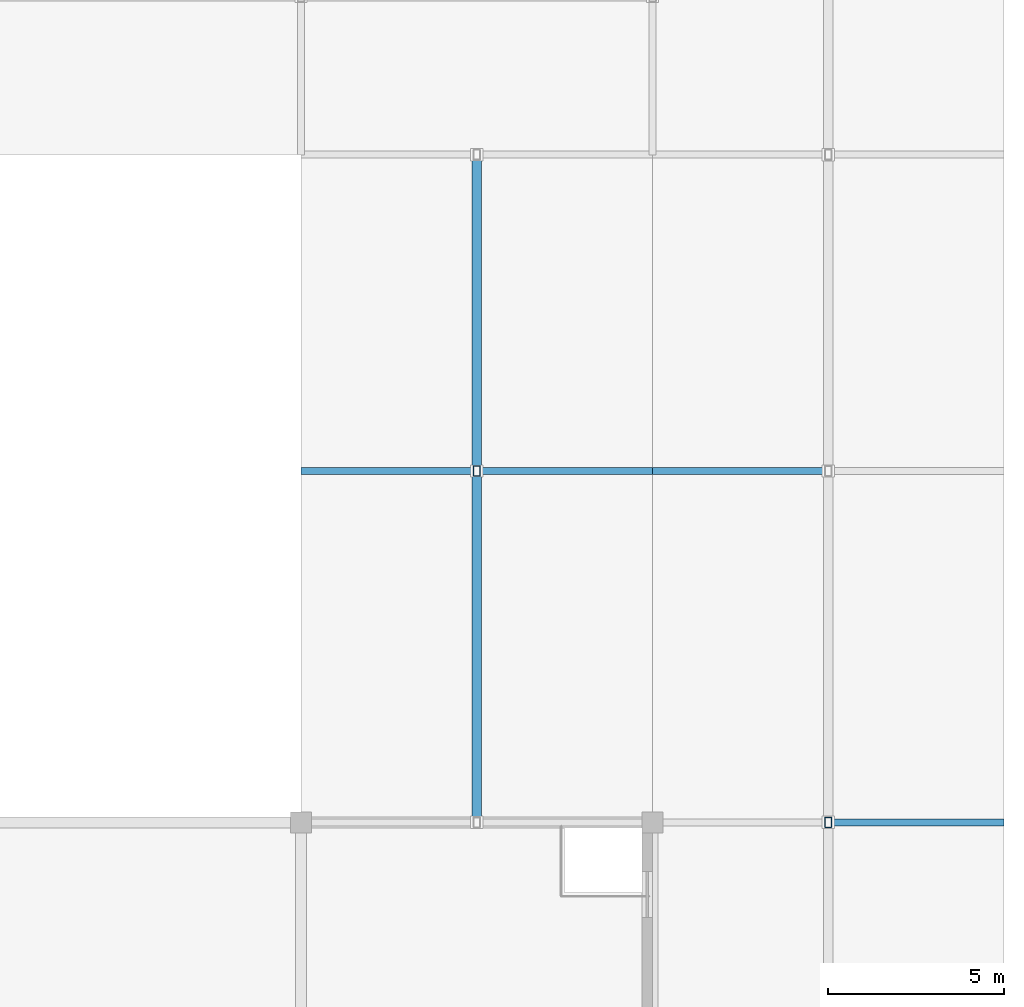
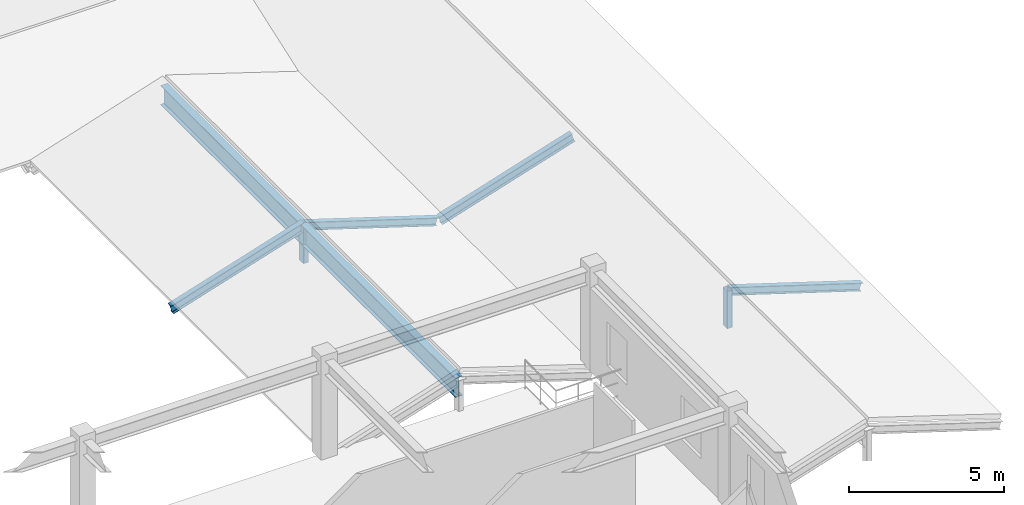
# One storey, part 76 of 110: 6 members, 1 beam.
"""IFC4 building model written with IfcOpenShell, lengths in metres."""

from ifc_helpers import new_model, si_unit, direction, frame, origin, origin_2d, place, context, subcontext, project, spatial, hollow_rectangle, i_section, extrude, material, material_profile, profile_set, type_object, element, save


model = new_model("IFC4")

# Units and contexts
model_context = context("Model", 3, precision=1e-05, world=origin(), true_north=direction((0.0, 1.0)))
body_context = subcontext(model_context, "Body", "Model", "MODEL_VIEW")
ifc_project = project(units=[si_unit("LENGTHUNIT", "METRE"), si_unit("AREAUNIT", "SQUARE_METRE"), si_unit("VOLUMEUNIT", "CUBIC_METRE"), si_unit("PLANEANGLEUNIT", "RADIAN"), si_unit("MASSUNIT", "GRAM", prefix="KILO")], contexts=[model_context])

# Site, building, storey
site_placement = place(None, origin())
site = spatial("IfcSite", under=ifc_project, at=site_placement, CompositionType="ELEMENT")
building_placement = place(site_placement, origin())
building = spatial("IfcBuilding", under=site, at=building_placement, Name="Miravela Opera House", CompositionType="ELEMENT")
storey_placement = place(building_placement, frame((0.0, 0.0, 13.60009765625)))
storey = spatial("IfcBuildingStorey", under=building, at=storey_placement, Name="L03", CompositionType="ELEMENT", Elevation=13.60009765625)

# Beam
ifc_material_1 = material(Name="Structural steel ASTM A992 Gr. 50", Category="steel")
ifc_material_profile_1 = material_profile(ifc_material_1, i_section(OverallWidth=0.26806640625, OverallDepth=0.77001953125, WebThickness=0.015625, FlangeThickness=0.025390625, FilletRadius=0.02001953125, at=origin_2d()), Name="W760X196")
ifc_profile_set_1 = profile_set([ifc_material_profile_1])
beam_type = type_object("IfcBeamType", Name="STR-BM-W760X196", PredefinedType="BEAM", material=ifc_profile_set_1)
beam_placement = place(storey_placement, frame((149.0, 84.0, 0.85498046875), z_axis=(0.0, 1.0, 0.0), x_axis=(-1.0, 0.0, 0.0)))
element("IfcBeam", 1, at=beam_placement, inside=storey, type_object=beam_type, Name="Clay Tile Roof Ridge Beam ROOF-V3-EAST-M", PredefinedType="BEAM", context=body_context, shape_type="SweptSolid", body=[
    extrude(i_section(OverallWidth=0.26806640625, OverallDepth=0.77001953125, WebThickness=0.015625, FlangeThickness=0.025390625, FilletRadius=0.02001953125, at=origin_2d()), origin(), (0.0, 0.0, 1.0), 19.0),
])

# Members
ifc_material_2 = material(Name="Hollow structural steel ASTM A500 Gr. C", Category="steel")
ifc_material_profile_2 = material_profile(ifc_material_2, hollow_rectangle(XDim=0.199951171875, YDim=0.300048828125, WallThickness=0.011962890625, InnerFilletRadius=0.011962890625, OuterFilletRadius=0.02392578125, at=origin_2d()), Name="HSS300X200X12")
ifc_profile_set_2 = profile_set([ifc_material_profile_2])
member_type_1 = type_object("IfcMemberType", Name="STR-MEM-POST-HSS300X200", PredefinedType="POST", material=ifc_profile_set_2)
for number, where, z_axis, x_axis, name in (
    (2, (159.0, 84.0, -0.25), (0.0, 0.0, 1.0), (1.0, 0.0, 0.0), "Roof Ridge Support Post ROOF-V3-FAR-E M1"),
    (3, (149.0, 94.0, -0.25), (0.0, 0.0, 1.0), (1.0, 0.0, 0.0), "Roof Ridge Support Post ROOF-V3-EAST-M M1"),
):
    element("IfcMember", number, at=place(storey_placement, frame(where, z_axis=z_axis, x_axis=x_axis)), inside=storey, type_object=member_type_1, Name=name, PredefinedType="POST", context=body_context, shape_type="SweptSolid", body=[
        extrude(hollow_rectangle(XDim=0.199951171875, YDim=0.300048828125, WallThickness=0.011962890625, InnerFilletRadius=0.011962890625, OuterFilletRadius=0.02392578125, at=origin_2d()), origin(), (0.0, 0.0, 1.0), 1.469970703125),
    ])
ifc_material_profile_3 = material_profile(ifc_material_1, i_section(OverallWidth=0.2041015625, OverallDepth=0.35009765625, WebThickness=0.008544921875, FlangeThickness=0.01513671875, FilletRadius=0.013916015625, at=origin_2d()), Name="W360X72")
ifc_profile_set_3 = profile_set([ifc_material_profile_3])
member_type_2 = type_object("IfcMemberType", Name="STR-MEM-RAFTER-1", PredefinedType="RAFTER", material=ifc_profile_set_3)
for number, where, z_axis, x_axis, name in (
    (4, (154.050048828125, 94.0, -0.400146484375), (0.953753138801, 0.0, 0.300591001575), (0.0, 1.0, 0.0), "Pitched Roof Rafter ROOF-V3-FAR-E W2"),
    (5, (144.050048828125, 94.0, -0.400146484375), (0.953753138801, 0.0, 0.300591001575), (0.0, 1.0, 0.0), "Pitched Roof Rafter ROOF-V3-EAST-M W1"),
):
    element("IfcMember", number, at=place(storey_placement, frame(where, z_axis=z_axis, x_axis=x_axis)), inside=storey, type_object=member_type_2, Name=name, PredefinedType="RAFTER", context=body_context, shape_type="SweptSolid", body=[
        extrude(i_section(OverallWidth=0.2041015625, OverallDepth=0.35009765625, WebThickness=0.008544921875, FlangeThickness=0.01513671875, FilletRadius=0.013916015625, at=origin_2d()), origin(), (0.0, 0.0, 1.0), 5.18994140625),
    ])
ifc_material_profile_4 = material_profile(ifc_material_1, i_section(OverallWidth=0.202880859375, OverallDepth=0.302978515625, WebThickness=0.007568359375, FlangeThickness=0.01318359375, FilletRadius=0.012939453125, at=origin_2d()), Name="W310X60")
ifc_profile_set_4 = profile_set([ifc_material_profile_4])
member_type_3 = type_object("IfcMemberType", Name="STR-MEM-RAFTER-2", PredefinedType="RAFTER", material=ifc_profile_set_4)
for number, where, z_axis, x_axis, name in (
    (6, (163.949951171875, 84.0, -0.400146484375), (-0.953753138801, 0.0, 0.300591001575), (0.0, -1.0, 0.0), "Pitched Roof Rafter ROOF-V3-FAR-E E1"),
    (7, (153.949951171875, 94.0, -0.400146484375), (-0.953753138801, 0.0, 0.300591001575), (0.0, -1.0, 0.0), "Pitched Roof Rafter ROOF-V3-EAST-M E1"),
):
    element("IfcMember", number, at=place(storey_placement, frame(where, z_axis=z_axis, x_axis=x_axis)), inside=storey, type_object=member_type_3, Name=name, PredefinedType="RAFTER", context=body_context, shape_type="SweptSolid", body=[
        extrude(i_section(OverallWidth=0.202880859375, OverallDepth=0.302978515625, WebThickness=0.007568359375, FlangeThickness=0.01318359375, FilletRadius=0.012939453125, at=origin_2d()), origin(), (0.0, 0.0, 1.0), 5.18994140625),
    ])

save(model, "model.ifc")
